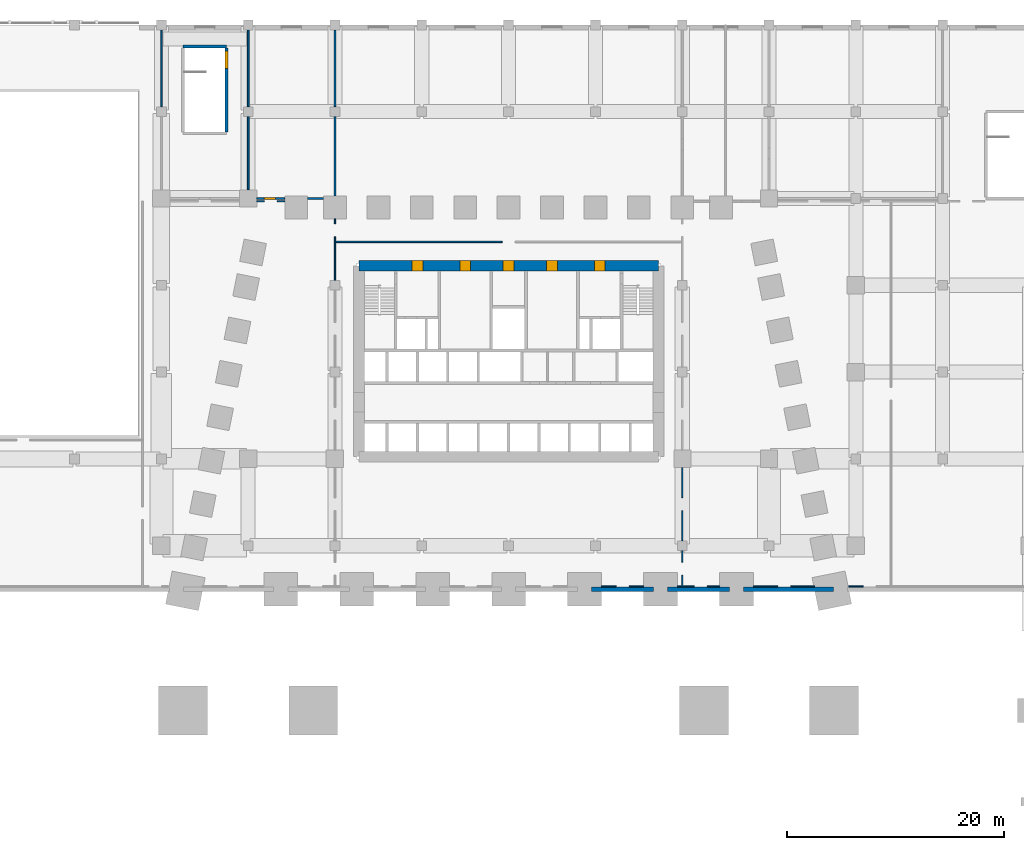
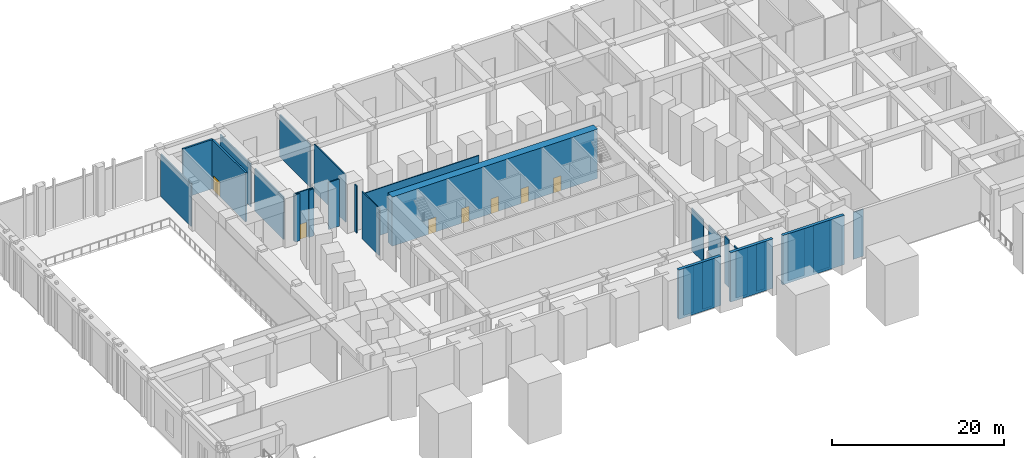
# One storey, part 10 of 18: 29 walls, 7 doors, 7 openings.
"""IFC4 building model written with IfcOpenShell, lengths in metres."""

from ifc_helpers import new_model, si_unit, direction, frame, frame_2d, origin, place, context, subcontext, project, spatial, rectangle, extrude, material, layer, layer_set, type_object, element, fill, save


model = new_model("IFC4")

# Units and contexts
model_context = context("Model", 3, precision=1e-05, world=origin(), true_north=direction((0.0, 1.0)))
body_context = subcontext(model_context, "Body", "Model", "MODEL_VIEW")
ifc_project = project(units=[si_unit("LENGTHUNIT", "METRE"), si_unit("AREAUNIT", "SQUARE_METRE"), si_unit("VOLUMEUNIT", "CUBIC_METRE"), si_unit("PLANEANGLEUNIT", "RADIAN"), si_unit("MASSUNIT", "GRAM", prefix="KILO")], contexts=[model_context])

# Site, building, storey
site_placement = place(None, origin())
site = spatial("IfcSite", under=ifc_project, at=site_placement, CompositionType="ELEMENT")
building_placement = place(site_placement, origin())
building = spatial("IfcBuilding", under=site, at=building_placement, Name="Isbrekke Arena Tower", CompositionType="ELEMENT")
storey_placement = place(building_placement, frame((0.0, 0.0, 12.0)))
storey = spatial("IfcBuildingStorey", under=building, at=storey_placement, Name="L02", CompositionType="ELEMENT", Elevation=12.0)

# Walls
ifc_material_1 = material(Name="Concrete B45 (C45/55)", Category="concrete")
ifc_layer_1 = layer(ifc_material_1, 0.39990234375)
ifc_layer_set_1 = layer_set([ifc_layer_1], Name="AW1 ARENA WALL 400")
wall_type_1 = type_object("IfcWallType", Name="AW1 ARENA WALL 400", PredefinedType="SHEAR", material=ifc_layer_set_1)
for number, where, z_axis, x_axis, name in (
    (1, (7.64990234375, -6.0, 0.0), (0.0, 0.0, 1.0), (1.0, 0.0, 0.0), "Arena north wall 7"),
    (2, (14.64990234375, -6.0, 0.0), (0.0, 0.0, 1.0), (1.0, 0.0, 0.0), "Arena north wall 8"),
):
    element("IfcWall", number, at=place(storey_placement, frame(where, z_axis=z_axis, x_axis=x_axis)), inside=storey, type_object=wall_type_1, Name=name, PredefinedType="SHEAR", context=body_context, shape_type="SweptSolid", body=[
        extrude(rectangle(XDim=5.7001953125, YDim=0.39990234375, at=frame_2d((2.85009765625, 0.0))), origin(), (0.0, 0.0, 1.0), 7.0),
    ])
wall_1_placement = place(storey_placement, frame((21.64990234375, -6.0, 0.0), z_axis=(0.0, 0.0, 1.0), x_axis=(1.0, 0.0, 0.0)))
element("IfcWall", 3, at=wall_1_placement, inside=storey, type_object=wall_type_1, Name="Arena north wall 9", PredefinedType="SHEAR", context=body_context, shape_type="SweptSolid", body=[
    extrude(rectangle(XDim=8.300048828125, YDim=0.39990234375, at=frame_2d((4.14990234375, 0.0))), origin(), (0.0, 0.0, 1.0), 7.0),
])

# Wall, openings, doors
ifc_material_2 = material(Name="Concrete B65 (C65/80)", Category="concrete")
ifc_layer_2 = layer(ifc_material_2, 1.0)
ifc_layer_set_2 = layer_set([ifc_layer_2], Name="CW1 CORE WALL 1000")
wall_type_2 = type_object("IfcWallType", Name="CW1 CORE WALL 1000", PredefinedType="SHEAR", material=ifc_layer_set_2)
wall_2_placement = place(storey_placement, frame((13.800048828125, 23.800048828125, 0.0), z_axis=(0.0, 0.0, 1.0), x_axis=(-1.0, 0.0, 0.0)))
wall_2 = element("IfcWall", 4, at=wall_2_placement, inside=storey, type_object=wall_type_2, Name="Core wall N L02", PredefinedType="SHEAR", context=body_context, shape_type="SweptSolid", body=[
    extrude(rectangle(XDim=27.60009765625, YDim=1.0, at=frame_2d((13.800048828125, 0.0))), origin(), (0.0, 0.0, 1.0), 7.0),
])
opening_1_placement = place(wall_2_placement, frame((21.699951171875, 0.0, 0.0)))
opening_1 = element("IfcOpeningElement", 5, at=opening_1_placement, cuts=wall_2, Name="Opening D3", PredefinedType="OPENING", context=body_context, shape_type="SweptSolid", body=[
    extrude(rectangle(XDim=1.0, YDim=2.10009765625, at=frame_2d((0.5, 1.050048828125))), frame((0.0, 0.514892578125, 0.0), z_axis=(0.0, -1.0, 0.0), x_axis=(1.0, 0.0, 0.0)), (0.0, 0.0, 1.0), 1.02978515625),
])
opening_2_placement = place(wall_2_placement, frame((4.89990234375, 0.0, 0.0)))
opening_2 = element("IfcOpeningElement", 6, at=opening_2_placement, cuts=wall_2, Name="Opening D3", PredefinedType="OPENING", context=body_context, shape_type="SweptSolid", body=[
    extrude(rectangle(XDim=1.0, YDim=2.10009765625, at=frame_2d((0.5, 1.050048828125))), frame((0.0, 0.514892578125, 0.0), z_axis=(0.0, -1.0, 0.0), x_axis=(1.0, 0.0, 0.0)), (0.0, 0.0, 1.0), 1.02978515625),
])
opening_3_placement = place(wall_2_placement, frame((17.300048828125, 0.0, 0.0)))
opening_3 = element("IfcOpeningElement", 7, at=opening_3_placement, cuts=wall_2, Name="Opening D4", PredefinedType="OPENING", context=body_context, shape_type="SweptSolid", body=[
    extrude(rectangle(XDim=1.0, YDim=2.10009765625, at=frame_2d((0.5, 1.050048828125))), frame((0.0, 0.514892578125, 0.0), z_axis=(0.0, -1.0, 0.0), x_axis=(1.0, 0.0, 0.0)), (0.0, 0.0, 1.0), 1.02978515625),
])
opening_4_placement = place(wall_2_placement, frame((13.300048828125, 0.0, 0.0)))
opening_4 = element("IfcOpeningElement", 8, at=opening_4_placement, cuts=wall_2, Name="Opening D4", PredefinedType="OPENING", context=body_context, shape_type="SweptSolid", body=[
    extrude(rectangle(XDim=1.0, YDim=2.10009765625, at=frame_2d((0.5, 1.050048828125))), frame((0.0, 0.514892578125, 0.0), z_axis=(0.0, -1.0, 0.0), x_axis=(1.0, 0.0, 0.0)), (0.0, 0.0, 1.0), 1.02978515625),
])
opening_5_placement = place(wall_2_placement, frame((9.300048828125, 0.0, 0.0)))
opening_5 = element("IfcOpeningElement", 9, at=opening_5_placement, cuts=wall_2, Name="Opening D4", PredefinedType="OPENING", context=body_context, shape_type="SweptSolid", body=[
    extrude(rectangle(XDim=1.0, YDim=2.10009765625, at=frame_2d((0.5, 1.050048828125))), frame((0.0, 0.514892578125, 0.0), z_axis=(0.0, -1.0, 0.0), x_axis=(1.0, 0.0, 0.0)), (0.0, 0.0, 1.0), 1.02978515625),
])
ifc_material_3 = material(Name="Steel fire door", Category="steel")
door_type_1 = type_object("IfcDoorType", Name="D3 FIRE LOBBY DOOR 1000 x 2100", OperationType="SINGLE_SWING_RIGHT", PredefinedType="DOOR", material=ifc_material_3)
door_1_placement = place(opening_1_placement, origin())
door_1 = element("IfcDoor", 10, at=door_1_placement, inside=storey, type_object=door_type_1, Name="D3 fire-fighting lobby door L02", OperationType="SINGLE_SWING_RIGHT", OverallHeight=2.10009765625, OverallWidth=1.0, PredefinedType="DOOR", context=body_context, shape_type="SweptSolid", body=[
    extrude(rectangle(XDim=1.0, YDim=2.10009765625, at=frame_2d((0.5, 1.050048828125))), frame((0.0, 0.499755859375, 0.0), z_axis=(0.0, -1.0, 0.0), x_axis=(1.0, 0.0, 0.0)), (0.0, 0.0, 1.0), 0.99951171875),
])
fill(opening_1, door_1)
door_2_placement = place(opening_2_placement, origin())
door_2 = element("IfcDoor", 11, at=door_2_placement, inside=storey, type_object=door_type_1, Name="D3 fire-fighting lobby door L02", OperationType="SINGLE_SWING_RIGHT", OverallHeight=2.10009765625, OverallWidth=1.0, PredefinedType="DOOR", context=body_context, shape_type="SweptSolid", body=[
    extrude(rectangle(XDim=1.0, YDim=2.10009765625, at=frame_2d((0.5, 1.050048828125))), frame((0.0, 0.499755859375, 0.0), z_axis=(0.0, -1.0, 0.0), x_axis=(1.0, 0.0, 0.0)), (0.0, 0.0, 1.0), 0.99951171875),
])
fill(opening_2, door_2)
ifc_material_4 = material(Name="Timber door", Category="wood")
door_type_2 = type_object("IfcDoorType", Name="D4 WC DOOR 1000 x 2100", OperationType="SINGLE_SWING_LEFT", PredefinedType="DOOR", material=ifc_material_4)
door_3_placement = place(opening_3_placement, origin())
door_3 = element("IfcDoor", 12, at=door_3_placement, inside=storey, type_object=door_type_2, Name="D4 wc female door L02", OperationType="SINGLE_SWING_LEFT", OverallHeight=2.10009765625, OverallWidth=1.0, PredefinedType="DOOR", context=body_context, shape_type="SweptSolid", body=[
    extrude(rectangle(XDim=1.0, YDim=2.10009765625, at=frame_2d((0.5, 1.050048828125))), frame((0.0, 0.499755859375, 0.0), z_axis=(0.0, -1.0, 0.0), x_axis=(1.0, 0.0, 0.0)), (0.0, 0.0, 1.0), 0.99951171875),
])
fill(opening_3, door_3)
door_4_placement = place(opening_4_placement, origin())
door_4 = element("IfcDoor", 13, at=door_4_placement, inside=storey, type_object=door_type_2, Name="D4 accessible wc door L02", OperationType="SINGLE_SWING_LEFT", OverallHeight=2.10009765625, OverallWidth=1.0, PredefinedType="DOOR", context=body_context, shape_type="SweptSolid", body=[
    extrude(rectangle(XDim=1.0, YDim=2.10009765625, at=frame_2d((0.5, 1.050048828125))), frame((0.0, 0.499755859375, 0.0), z_axis=(0.0, -1.0, 0.0), x_axis=(1.0, 0.0, 0.0)), (0.0, 0.0, 1.0), 0.99951171875),
])
fill(opening_4, door_4)
door_5_placement = place(opening_5_placement, origin())
door_5 = element("IfcDoor", 14, at=door_5_placement, inside=storey, type_object=door_type_2, Name="D4 wc male door L02", OperationType="SINGLE_SWING_LEFT", OverallHeight=2.10009765625, OverallWidth=1.0, PredefinedType="DOOR", context=body_context, shape_type="SweptSolid", body=[
    extrude(rectangle(XDim=1.0, YDim=2.10009765625, at=frame_2d((0.5, 1.050048828125))), frame((0.0, 0.499755859375, 0.0), z_axis=(0.0, -1.0, 0.0), x_axis=(1.0, 0.0, 0.0)), (0.0, 0.0, 1.0), 0.99951171875),
])
fill(opening_5, door_5)

# Walls
ifc_material_5 = material(Name="Gypsum board partition on steel studs", Category="steel")
ifc_layer_3 = layer(ifc_material_5, 0.14990234375)
ifc_layer_set_3 = layer_set([ifc_layer_3], Name="IW1 PARTITION 150")
wall_type_3 = type_object("IfcWallType", Name="IW1 PARTITION 150", PredefinedType="PARTITIONING", material=ifc_layer_set_3)
wall_3_placement = place(storey_placement, frame((-32.0, 38.4599609375, 0.0), z_axis=(0.0, 0.0, 1.0), x_axis=(0.0, 1.0, 0.0)))
element("IfcWall", 15, at=wall_3_placement, inside=storey, type_object=wall_type_3, Name="IW1 partition L02", PredefinedType="PARTITIONING", context=body_context, shape_type="SweptSolid", body=[
    extrude(rectangle(XDim=7.080078125, YDim=0.14990234375, at=frame_2d((3.5400390625, 0.0))), origin(), (0.0, 0.0, 1.0), 6.050048828125),
])
wall_4_placement = place(storey_placement, frame((-24.0, 30.81005859375, 0.0), z_axis=(0.0, 0.0, 1.0), x_axis=(0.0, 1.0, 0.0)))
element("IfcWall", 16, at=wall_4_placement, inside=storey, type_object=wall_type_3, Name="IW1 partition L02", PredefinedType="PARTITIONING", context=body_context, shape_type="SweptSolid", body=[
    extrude(rectangle(XDim=6.72998046875, YDim=0.14990234375, at=frame_2d((3.364990234375, 0.0))), origin(), (0.0, 0.0, 1.0), 6.050048828125),
])
wall_5_placement = place(storey_placement, frame((-24.0, 38.4599609375, 0.0), z_axis=(0.0, 0.0, 1.0), x_axis=(0.0, 1.0, 0.0)))
element("IfcWall", 17, at=wall_5_placement, inside=storey, type_object=wall_type_3, Name="IW1 partition L02", PredefinedType="PARTITIONING", context=body_context, shape_type="SweptSolid", body=[
    extrude(rectangle(XDim=7.080078125, YDim=0.14990234375, at=frame_2d((3.5400390625, 0.0))), origin(), (0.0, 0.0, 1.0), 6.050048828125),
])
wall_6_placement = place(storey_placement, frame((-16.0, 30.235107421875, 0.0), z_axis=(0.0, 0.0, 1.0), x_axis=(0.0, 1.0, 0.0)))
element("IfcWall", 18, at=wall_6_placement, inside=storey, type_object=wall_type_3, Name="IW1 partition L02", PredefinedType="PARTITIONING", context=body_context, shape_type="SweptSolid", body=[
    extrude(rectangle(XDim=7.304931640625, YDim=0.14990234375, at=frame_2d((3.65234375, 0.0))), origin(), (0.0, 0.0, 1.0), 6.699951171875),
])
wall_7_placement = place(storey_placement, frame((-16.0, 38.4599609375, 0.0), z_axis=(0.0, 0.0, 1.0), x_axis=(0.0, 1.0, 0.0)))
element("IfcWall", 19, at=wall_7_placement, inside=storey, type_object=wall_type_3, Name="IW1 partition L02", PredefinedType="PARTITIONING", context=body_context, shape_type="SweptSolid", body=[
    extrude(rectangle(XDim=7.080078125, YDim=0.14990234375, at=frame_2d((3.5400390625, 0.0))), origin(), (0.0, 0.0, 1.0), 6.050048828125),
])

# Wall, opening, door
wall_8_placement = place(storey_placement, frame((-23.18994140625, 30.0, 0.0), z_axis=(0.0, 0.0, 1.0), x_axis=(1.0, 0.0, 0.0)))
wall_8 = element("IfcWall", 20, at=wall_8_placement, inside=storey, type_object=wall_type_3, Name="IW1 partition L02", PredefinedType="PARTITIONING", context=body_context, shape_type="SweptSolid", body=[
    extrude(rectangle(XDim=2.554931640625, YDim=0.14990234375, at=frame_2d((1.27734375, 0.0))), origin(), (0.0, 0.0, 1.0), 6.699951171875),
])
opening_6_placement = place(wall_8_placement, frame((0.68994140625, 0.0, 0.0)))
opening_6 = element("IfcOpeningElement", 21, at=opening_6_placement, cuts=wall_8, Name="Opening D6", PredefinedType="OPENING", context=body_context, shape_type="SweptSolid", body=[
    extrude(rectangle(XDim=1.0, YDim=2.10009765625, at=frame_2d((0.5, 1.050048828125))), frame((0.0, 0.08984375, 0.0), z_axis=(0.0, -1.0, 0.0), x_axis=(1.0, 0.0, 0.0)), (0.0, 0.0, 1.0), 0.1796875),
])
ifc_material_6 = material(Name="Timber door", Category="wood")
door_type_3 = type_object("IfcDoorType", Name="D6 ROOM DOOR 1000 x 2100", OperationType="SINGLE_SWING_LEFT", PredefinedType="DOOR", material=ifc_material_6)
door_6_placement = place(opening_6_placement, origin())
door_6 = element("IfcDoor", 22, at=door_6_placement, inside=storey, type_object=door_type_3, Name="D6 door L02-06", OperationType="SINGLE_SWING_LEFT", OverallHeight=2.10009765625, OverallWidth=1.0, PredefinedType="DOOR", context=body_context, shape_type="SweptSolid", body=[
    extrude(rectangle(XDim=1.0, YDim=2.10009765625, at=frame_2d((0.5, 1.050048828125))), frame((0.0, 0.07470703125, 0.0), z_axis=(0.0, -1.0, 0.0), x_axis=(1.0, 0.0, 0.0)), (0.0, 0.0, 1.0), 0.1494140625),
])
fill(opening_6, door_6)

# Walls
wall_9_placement = place(storey_placement, frame((-18.514892578125, 30.0, 0.0), z_axis=(0.0, 0.0, 1.0), x_axis=(1.0, 0.0, 0.0)))
element("IfcWall", 23, at=wall_9_placement, inside=storey, type_object=wall_type_3, Name="IW1 partition L02", PredefinedType="PARTITIONING", context=body_context, shape_type="SweptSolid", body=[
    extrude(rectangle(XDim=1.454833984375, YDim=0.14990234375, at=frame_2d((0.7275390625, 0.0))), origin(), (0.0, 0.0, 1.0), 6.699951171875),
])
ifc_material_7 = material(Name="Frameless glazed partition, laminated acoustic glass", Category="glass")
ifc_layer_4 = layer(ifc_material_7, 0.1201171875)
ifc_layer_set_4 = layer_set([ifc_layer_4], Name="IW2 GLAZED PARTITION 120")
wall_type_4 = type_object("IfcWallType", Name="IW2 GLAZED PARTITION 120", PredefinedType="PARTITIONING", material=ifc_layer_set_4)
wall_10_placement = place(storey_placement, frame((-16.0, 22.4599609375, 0.0), z_axis=(0.0, 0.0, 1.0), x_axis=(0.0, 1.0, 0.0)))
element("IfcWall", 24, at=wall_10_placement, inside=storey, type_object=wall_type_4, Name="IW2 glazed partition L02", PredefinedType="PARTITIONING", context=body_context, shape_type="SweptSolid", body=[
    extrude(rectangle(XDim=3.99755859375, YDim=0.1201171875, at=frame_2d((1.998779296875, 0.0))), origin(), (0.0, 0.0, 1.0), 6.699951171875),
])
wall_11_placement = place(storey_placement, frame((-16.0, 27.657470703125, 0.0), z_axis=(0.0, 0.0, 1.0), x_axis=(0.0, 1.0, 0.0)))
element("IfcWall", 25, at=wall_11_placement, inside=storey, type_object=wall_type_4, Name="IW2 glazed partition L02", PredefinedType="PARTITIONING", context=body_context, shape_type="SweptSolid", body=[
    extrude(rectangle(XDim=0.45751953125, YDim=0.1201171875, at=frame_2d((0.228759765625, 0.0))), origin(), (0.0, 0.0, 1.0), 6.699951171875),
])
for number, where, z_axis, x_axis, name in (
    (26, (16.0, -5.75, 0.0), (0.0, 0.0, 1.0), (0.0, 1.0, 0.0), "IW2 glazed partition L02"),
    (27, (16.0, -3.5048828125, 0.0), (0.0, 0.0, 1.0), (0.0, 1.0, 0.0), "IW2 glazed partition L02"),
):
    element("IfcWall", number, at=place(storey_placement, frame(where, z_axis=z_axis, x_axis=x_axis)), inside=storey, type_object=wall_type_4, Name=name, PredefinedType="PARTITIONING", context=body_context, shape_type="SweptSolid", body=[
        extrude(rectangle(XDim=1.044921875, YDim=0.1201171875, at=frame_2d((0.5224609375, 0.0))), origin(), (0.0, 0.0, 1.0), 6.699951171875),
    ])
wall_12_placement = place(storey_placement, frame((16.0, -1.5400390625, 0.0), z_axis=(0.0, 0.0, 1.0), x_axis=(0.0, 1.0, 0.0)))
element("IfcWall", 28, at=wall_12_placement, inside=storey, type_object=wall_type_4, Name="IW2 glazed partition L02", PredefinedType="PARTITIONING", context=body_context, shape_type="SweptSolid", body=[
    extrude(rectangle(XDim=2.76513671875, YDim=0.1201171875, at=frame_2d((1.382568359375, 0.0))), origin(), (0.0, 0.0, 1.0), 6.050048828125),
])
wall_13_placement = place(storey_placement, frame((16.0, 2.425048828125, 0.0), z_axis=(0.0, 0.0, 1.0), x_axis=(0.0, 1.0, 0.0)))
element("IfcWall", 29, at=wall_13_placement, inside=storey, type_object=wall_type_4, Name="IW2 glazed partition L02", PredefinedType="PARTITIONING", context=body_context, shape_type="SweptSolid", body=[
    extrude(rectangle(XDim=2.764892578125, YDim=0.1201171875, at=frame_2d((1.38232421875, 0.0))), origin(), (0.0, 0.0, 1.0), 6.050048828125),
])
for number, where, z_axis, x_axis, name in (
    (30, (8.56005859375, -5.75, 0.0), (0.0, 0.0, 1.0), (1.0, 0.0, 0.0), "IW2 glazed partition L02"),
    (31, (11.10009765625, -5.75, 0.0), (0.0, 0.0, 1.0), (1.0, 0.0, 0.0), "IW2 glazed partition L02"),
):
    element("IfcWall", number, at=place(storey_placement, frame(where, z_axis=z_axis, x_axis=x_axis)), inside=storey, type_object=wall_type_4, Name=name, PredefinedType="PARTITIONING", context=body_context, shape_type="SweptSolid", body=[
        extrude(rectangle(XDim=1.33984375, YDim=0.1201171875, at=frame_2d((0.669921875, 0.0))), origin(), (0.0, 0.0, 1.0), 6.699951171875),
    ])
wall_14_placement = place(storey_placement, frame((15.56005859375, -5.75, 0.0), z_axis=(0.0, 0.0, 1.0), x_axis=(1.0, 0.0, 0.0)))
element("IfcWall", 32, at=wall_14_placement, inside=storey, type_object=wall_type_4, Name="IW2 glazed partition L02", PredefinedType="PARTITIONING", context=body_context, shape_type="SweptSolid", body=[
    extrude(rectangle(XDim=1.56005859375, YDim=0.1201171875, at=frame_2d((0.780029296875, 0.0))), origin(), (0.0, 0.0, 1.0), 6.699951171875),
])
wall_15_placement = place(storey_placement, frame((18.320068359375, -5.75, 0.0), z_axis=(0.0, 0.0, 1.0), x_axis=(1.0, 0.0, 0.0)))
element("IfcWall", 33, at=wall_15_placement, inside=storey, type_object=wall_type_4, Name="IW2 glazed partition L02", PredefinedType="PARTITIONING", context=body_context, shape_type="SweptSolid", body=[
    extrude(rectangle(XDim=1.119873046875, YDim=0.1201171875, at=frame_2d((0.56005859375, 0.0))), origin(), (0.0, 0.0, 1.0), 6.699951171875),
])
for number, where, z_axis, x_axis, name in (
    (34, (22.56005859375, -5.75, 0.0), (0.0, 0.0, 1.0), (1.0, 0.0, 0.0), "IW2 glazed partition L02"),
    (35, (25.99560546875, -5.75, 0.0), (0.0, 0.0, 1.0), (1.0, 0.0, 0.0), "IW2 glazed partition L02"),
):
    element("IfcWall", number, at=place(storey_placement, frame(where, z_axis=z_axis, x_axis=x_axis)), inside=storey, type_object=wall_type_4, Name=name, PredefinedType="PARTITIONING", context=body_context, shape_type="SweptSolid", body=[
        extrude(rectangle(XDim=2.2353515625, YDim=0.1201171875, at=frame_2d((1.11767578125, 0.0))), origin(), (0.0, 0.0, 1.0), 6.699951171875),
    ])
wall_16_placement = place(storey_placement, frame((31.35107421875, -5.75, 0.0), z_axis=(0.0, 0.0, 1.0), x_axis=(1.0, 0.0, 0.0)))
element("IfcWall", 36, at=wall_16_placement, inside=storey, type_object=wall_type_4, Name="IW2 glazed partition L02", PredefinedType="PARTITIONING", context=body_context, shape_type="SweptSolid", body=[
    extrude(rectangle(XDim=1.349365234375, YDim=0.1201171875, at=frame_2d((0.6748046875, 0.0))), origin(), (0.0, 0.0, 1.0), 6.699951171875),
])
wall_17_placement = place(storey_placement, frame((-16.0, 26.0, 0.0), z_axis=(0.0, 0.0, 1.0), x_axis=(1.0, 0.0, 0.0)))
element("IfcWall", 37, at=wall_17_placement, inside=storey, type_object=wall_type_4, Name="IW2 glazed partition L02", PredefinedType="PARTITIONING", context=body_context, shape_type="SweptSolid", body=[
    extrude(rectangle(XDim=15.39990234375, YDim=0.1201171875, at=frame_2d((7.699951171875, 0.0))), origin(), (0.0, 0.0, 1.0), 6.699951171875),
])
for number, where, z_axis, x_axis, name in (
    (38, (-23.18994140625, 29.75, 0.0), (0.0, 0.0, 1.0), (1.0, 0.0, 0.0), "IW2 glazed partition L02"),
    (39, (-21.3125, 29.75, 0.0), (0.0, 0.0, 1.0), (1.0, 0.0, 0.0), "IW2 glazed partition L02"),
):
    element("IfcWall", number, at=place(storey_placement, frame(where, z_axis=z_axis, x_axis=x_axis)), inside=storey, type_object=wall_type_4, Name=name, PredefinedType="PARTITIONING", context=body_context, shape_type="SweptSolid", body=[
        extrude(rectangle(XDim=0.677490234375, YDim=0.1201171875, at=frame_2d((0.3388671875, 0.0))), origin(), (0.0, 0.0, 1.0), 6.699951171875),
    ])
ifc_material_8 = material(Name="Concrete B45 (C45/55)", Category="concrete")
ifc_layer_5 = layer(ifc_material_8, 0.25)
ifc_layer_set_5 = layer_set([ifc_layer_5], Name="SW1 STAIR ENCLOSURE WALL 250")
wall_type_5 = type_object("IfcWallType", Name="SW1 STAIR ENCLOSURE WALL 250", PredefinedType="SOLIDWALL", material=ifc_layer_set_5)
wall_18_placement = place(storey_placement, frame((-26.0, 44.0, 0.0), z_axis=(0.0, 0.0, 1.0), x_axis=(-1.0, 0.0, 0.0)))
element("IfcWall", 40, at=wall_18_placement, inside=storey, type_object=wall_type_5, Name="SW1 stair wall P2 N L02", PredefinedType="SOLIDWALL", context=body_context, shape_type="SweptSolid", body=[
    extrude(rectangle(XDim=4.0, YDim=0.25, at=frame_2d((2.0, 0.0))), origin(), (0.0, 0.0, 1.0), 7.0),
])

# Wall, opening, door
wall_19_placement = place(storey_placement, frame((-26.0, 36.125, 0.0), z_axis=(0.0, 0.0, 1.0), x_axis=(0.0, 1.0, 0.0)))
wall_19 = element("IfcWall", 41, at=wall_19_placement, inside=storey, type_object=wall_type_5, Name="SW1 stair wall P2 E L02", PredefinedType="SOLIDWALL", context=body_context, shape_type="SweptSolid", body=[
    extrude(rectangle(XDim=7.75, YDim=0.25, at=frame_2d((3.875, 0.0))), origin(), (0.0, 0.0, 1.0), 7.0),
])
opening_7_placement = place(wall_19_placement, frame((5.85009765625, 0.0, 0.0)))
opening_7 = element("IfcOpeningElement", 42, at=opening_7_placement, cuts=wall_19, Name="Opening D7", PredefinedType="OPENING", context=body_context, shape_type="SweptSolid", body=[
    extrude(rectangle(XDim=1.60009765625, YDim=2.10009765625, at=frame_2d((0.800048828125, 1.050048828125))), frame((0.0, 0.139892578125, 0.0), z_axis=(0.0, -1.0, 0.0), x_axis=(1.0, 0.0, 0.0)), (0.0, 0.0, 1.0), 0.27978515625),
])
ifc_material_9 = material(Name="Steel fire door", Category="steel")
door_type_4 = type_object("IfcDoorType", Name="D7 PODIUM STAIR DOOR 1600 x 2100", OperationType="DOUBLE_DOOR_SINGLE_SWING", PredefinedType="DOOR", material=ifc_material_9)
door_7_placement = place(opening_7_placement, origin())
door_7 = element("IfcDoor", 43, at=door_7_placement, inside=storey, type_object=door_type_4, Name="D7 stair door P2 L02", OperationType="DOUBLE_DOOR_SINGLE_SWING", OverallHeight=2.10009765625, OverallWidth=1.60009765625, PredefinedType="DOOR", context=body_context, shape_type="SweptSolid", body=[
    extrude(rectangle(XDim=1.60009765625, YDim=2.10009765625, at=frame_2d((0.800048828125, 1.050048828125))), frame((0.0, 0.124755859375, 0.0), z_axis=(0.0, -1.0, 0.0), x_axis=(1.0, 0.0, 0.0)), (0.0, 0.0, 1.0), 0.24951171875),
])
fill(opening_7, door_7)

save(model, "model.ifc")
